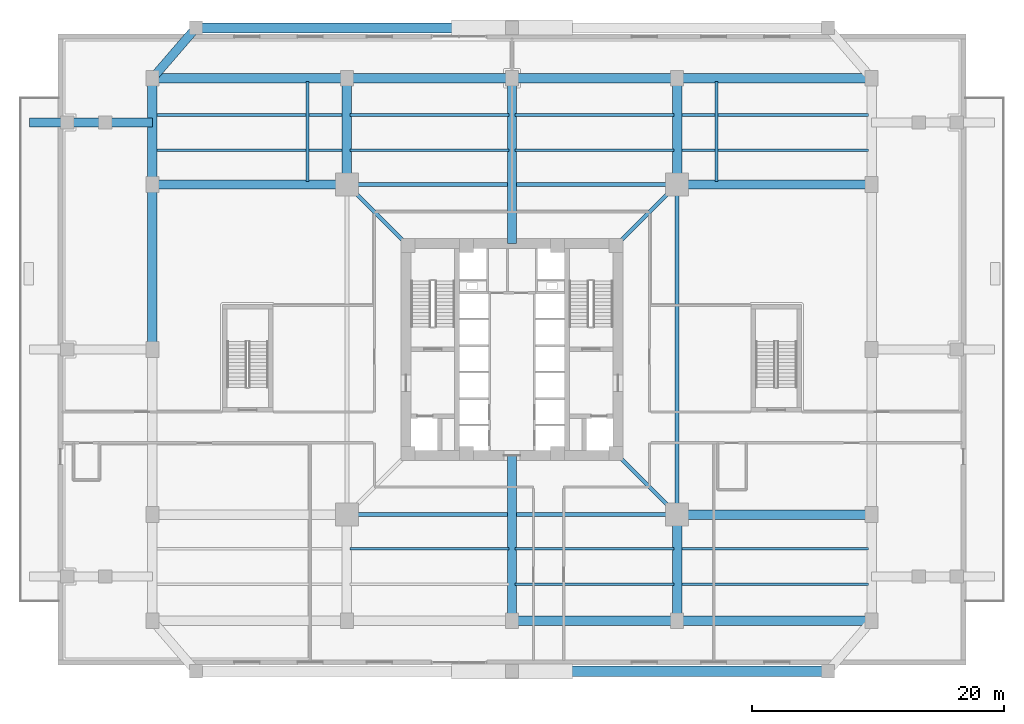
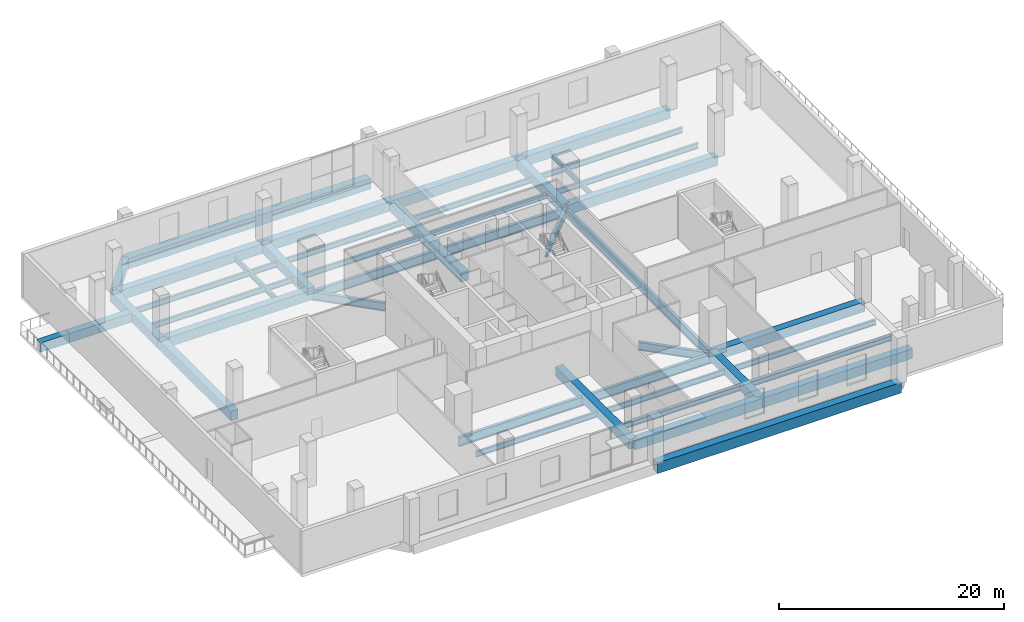
# One storey, part 3 of 15: 43 beams.
"""IFC4 building model written with IfcOpenShell, lengths in metres."""

from ifc_helpers import new_model, si_unit, direction, frame, origin, origin_2d, place, context, subcontext, project, spatial, rectangle, i_section, extrude, source, transform, mapped, material, material_profile, profile_set, type_object, element, save


model = new_model("IFC4")

# Units and contexts
model_context = context("Model", 3, precision=1e-05, world=origin(), true_north=direction((0.0, 1.0)))
body_context = subcontext(model_context, "Body", "Model", "MODEL_VIEW")
ifc_project = project(units=[si_unit("LENGTHUNIT", "METRE"), si_unit("AREAUNIT", "SQUARE_METRE"), si_unit("VOLUMEUNIT", "CUBIC_METRE"), si_unit("PLANEANGLEUNIT", "RADIAN"), si_unit("MASSUNIT", "GRAM", prefix="KILO"), si_unit("THERMODYNAMICTEMPERATUREUNIT", "KELVIN")], contexts=[model_context])

# Site, building, storey
site_placement = place(None, origin())
site = spatial("IfcSite", under=ifc_project, at=site_placement, CompositionType="ELEMENT")
building_placement = place(site_placement, origin())
building = spatial("IfcBuilding", under=site, at=building_placement, Name="Kosmvard Interchange Tower", CompositionType="ELEMENT")
storey_placement = place(building_placement, frame((0.0, 0.0, 11.0)))
storey = spatial("IfcBuildingStorey", under=building, at=storey_placement, Name="L02", CompositionType="ELEMENT", Elevation=11.0)

# Beams
ifc_material_1 = material(Name="Steel S460", Category="steel")
ifc_material_profile_1 = material_profile(ifc_material_1, i_section(OverallWidth=0.30810546875, OverallDepth=0.909912109375, WebThickness=0.02099609375, FlangeThickness=0.0400390625, FilletRadius=0.027099609375, at=origin_2d()), Name="HEM 900")
ifc_profile_set_1 = profile_set([ifc_material_profile_1], Name="Steel S460")
beam_type_1 = type_object("IfcBeamType", Name="Primary Mega-Frame Girder HEM 900 S460", PredefinedType="BEAM", material=ifc_profile_set_1)
shared_shape_1 = source(origin(), body_context, "Body", "SweptSolid", [
    extrude(i_section(OverallWidth=0.30810546875, OverallDepth=0.909912109375, WebThickness=0.02099609375, FlangeThickness=0.0400390625, FilletRadius=0.027099609375, at=origin_2d()), origin(), (0.0, 0.0, 1.0), 6.83203125),
])
for number, where, z_axis, x_axis, name in (
    (1, (8.25, -8.25, -0.794921875), (0.707106781187, -0.707106781187, 0.0), (0.707106781187, 0.707106781187, 0.0), "L02 Radial Mega-Frame Girder 2"),
    (2, (8.25, 8.25, -0.794921875), (0.707106781187, 0.707106781187, 0.0), (-0.707106781187, 0.707106781187, 0.0), "L02 Radial Mega-Frame Girder 3"),
    (3, (-8.25, 8.25, -0.794921875), (-0.707106781187, 0.707106781187, 0.0), (-0.707106781187, -0.707106781187, 0.0), "L02 Radial Mega-Frame Girder 4"),
):
    element("IfcBeam", number, at=place(storey_placement, frame(where, z_axis=z_axis, x_axis=x_axis)), inside=storey, type_object=beam_type_1, Name=name, PredefinedType="BEAM", context=body_context, shape_type="MappedRepresentation", body=[
        mapped(shared_shape_1, transform((0.0, 0.0, 0.0), scale=1.0)),
    ])
ifc_material_profile_2 = material_profile(ifc_material_1, i_section(OverallWidth=0.30908203125, OverallDepth=1.008056640625, WebThickness=0.02099609375, FlangeThickness=0.0400390625, FilletRadius=0.030029296875, at=origin_2d()), Name="HEM 1000")
ifc_profile_set_2 = profile_set([ifc_material_profile_2], Name="Steel S460")
beam_type_2 = type_object("IfcBeamType", Name="Mega-Column Ring Girder HEM 1000 S460", PredefinedType="BEAM", material=ifc_profile_set_2)
shared_shape_2 = source(origin(), body_context, "Body", "SweptSolid", [
    extrude(i_section(OverallWidth=0.30908203125, OverallDepth=1.008056640625, WebThickness=0.02099609375, FlangeThickness=0.0400390625, FilletRadius=0.030029296875, at=origin_2d()), origin(), (0.0, 0.0, 1.0), 26.162109375),
])
for number, where, z_axis, x_axis, name in (
    (4, (-13.0810546875, -13.0810546875, -0.843994140625), (1.0, 0.0, 0.0), (0.0, 1.0, 0.0), "L02 Mega-Column Ring Girder 1"),
    (5, (13.0810546875, -13.0810546875, -0.843994140625), (0.0, 1.0, 0.0), (-1.0, 0.0, 0.0), "L02 Mega-Column Ring Girder 2"),
    (6, (13.0810546875, 13.0810546875, -0.843994140625), (-1.0, 0.0, 0.0), (0.0, -1.0, 0.0), "L02 Mega-Column Ring Girder 3"),
):
    element("IfcBeam", number, at=place(storey_placement, frame(where, z_axis=z_axis, x_axis=x_axis)), inside=storey, type_object=beam_type_2, Name=name, PredefinedType="BEAM", context=body_context, shape_type="MappedRepresentation", body=[
        mapped(shared_shape_2, transform((0.0, 0.0, 0.0), scale=1.0)),
    ])
ifc_material_2 = material(Name="Steel S355", Category="steel")
ifc_material_profile_3 = material_profile(ifc_material_2, i_section(OverallWidth=0.219970703125, OverallDepth=0.60009765625, WebThickness=0.011962890625, FlangeThickness=0.01904296875, FilletRadius=0.02392578125, at=origin_2d()), Name="IPE 600")
ifc_profile_set_3 = profile_set([ifc_material_profile_3], Name="Steel S355")
beam_type_3 = type_object("IfcBeamType", Name="Long-Span Floor Joist IPE 600 S355", PredefinedType="JOIST", material=ifc_profile_set_3)
shared_shape_3 = source(origin(), body_context, "Body", "SweptSolid", [
    extrude(i_section(OverallWidth=0.219970703125, OverallDepth=0.60009765625, WebThickness=0.011962890625, FlangeThickness=0.01904296875, FilletRadius=0.02392578125, at=origin_2d()), origin(), (0.0, 0.0, 1.0), 14.949951171875),
])
for number, where, z_axis, x_axis, name in (
    (7, (13.300048828125, -18.60009765625, -0.639892578125), (1.0, 0.0, 0.0), (0.0, 1.0, 0.0), "BM-L02-PJ04"),
    (8, (13.300048828125, -15.800048828125, -0.639892578125), (1.0, 0.0, 0.0), (0.0, 1.0, 0.0), "BM-L02-PJ08"),
    (9, (-28.25, 15.800048828125, -0.639892578125), (1.0, 0.0, 0.0), (0.0, 1.0, 0.0), "BM-L02-PJ09"),
    (10, (13.300048828125, 15.800048828125, -0.639892578125), (1.0, 0.0, 0.0), (0.0, 1.0, 0.0), "BM-L02-PJ12"),
    (11, (-28.25, 18.60009765625, -0.639892578125), (1.0, 0.0, 0.0), (0.0, 1.0, 0.0), "BM-L02-PJ13"),
    (12, (13.300048828125, 18.60009765625, -0.639892578125), (1.0, 0.0, 0.0), (0.0, 1.0, 0.0), "BM-L02-PJ16"),
):
    element("IfcBeam", number, at=place(storey_placement, frame(where, z_axis=z_axis, x_axis=x_axis)), inside=storey, type_object=beam_type_3, Name=name, PredefinedType="JOIST", context=body_context, shape_type="MappedRepresentation", body=[
        mapped(shared_shape_3, transform((0.0, 0.0, 0.0), scale=1.0)),
    ])
shared_shape_4 = source(origin(), body_context, "Body", "SweptSolid", [
    extrude(i_section(OverallWidth=0.219970703125, OverallDepth=0.60009765625, WebThickness=0.011962890625, FlangeThickness=0.01904296875, FilletRadius=0.02392578125, at=origin_2d()), origin(), (0.0, 0.0, 1.0), 12.60009765625),
])
for number, where, z_axis, x_axis, name in (
    (13, (0.25, -18.60009765625, -0.639892578125), (1.0, 0.0, 0.0), (0.0, 1.0, 0.0), "BM-L02-PJ03"),
    (14, (-12.85009765625, -15.800048828125, -0.639892578125), (1.0, 0.0, 0.0), (0.0, 1.0, 0.0), "BM-L02-PJ06"),
    (15, (0.25, -15.800048828125, -0.639892578125), (1.0, 0.0, 0.0), (0.0, 1.0, 0.0), "BM-L02-PJ07"),
    (16, (-12.85009765625, 15.800048828125, -0.639892578125), (1.0, 0.0, 0.0), (0.0, 1.0, 0.0), "BM-L02-PJ10"),
    (17, (0.25, 15.800048828125, -0.639892578125), (1.0, 0.0, 0.0), (0.0, 1.0, 0.0), "BM-L02-PJ11"),
    (18, (-12.85009765625, 18.60009765625, -0.639892578125), (1.0, 0.0, 0.0), (0.0, 1.0, 0.0), "BM-L02-PJ14"),
    (19, (0.25, 18.60009765625, -0.639892578125), (1.0, 0.0, 0.0), (0.0, 1.0, 0.0), "BM-L02-PJ15"),
):
    element("IfcBeam", number, at=place(storey_placement, frame(where, z_axis=z_axis, x_axis=x_axis)), inside=storey, type_object=beam_type_3, Name=name, PredefinedType="JOIST", context=body_context, shape_type="MappedRepresentation", body=[
        mapped(shared_shape_4, transform((0.0, 0.0, 0.0), scale=1.0)),
    ])
shared_shape_5 = source(origin(), body_context, "Body", "SweptSolid", [
    extrude(i_section(OverallWidth=0.219970703125, OverallDepth=0.60009765625, WebThickness=0.011962890625, FlangeThickness=0.01904296875, FilletRadius=0.02392578125, at=origin_2d()), origin(), (0.0, 0.0, 1.0), 7.949951171875),
])
for number, where, z_axis, x_axis, name in (
    (20, (-16.199951171875, 13.300048828125, -0.639892578125), (0.0, 1.0, 0.0), (-1.0, 0.0, 0.0), "BM-L02-PJ17"),
    (21, (16.199951171875, 13.300048828125, -0.639892578125), (0.0, 1.0, 0.0), (-1.0, 0.0, 0.0), "BM-L02-PJ18"),
):
    element("IfcBeam", number, at=place(storey_placement, frame(where, z_axis=z_axis, x_axis=x_axis)), inside=storey, type_object=beam_type_3, Name=name, PredefinedType="JOIST", context=body_context, shape_type="MappedRepresentation", body=[
        mapped(shared_shape_5, transform((0.0, 0.0, 0.0), scale=1.0)),
    ])
ifc_material_3 = material(Name="Concrete C60/75", Category="concrete")
ifc_material_profile_4 = material_profile(ifc_material_3, rectangle(XDim=0.75, YDim=1.050048828125, at=origin_2d()), Name="RCG 750x1050")
ifc_profile_set_4 = profile_set([ifc_material_profile_4], Name="Concrete C60/75")
beam_type_4 = type_object("IfcBeamType", Name="Concourse Mid-Span RC Girder 750x1050 C60/75", PredefinedType="BEAM", material=ifc_profile_set_4)
shared_shape_6 = source(origin(), body_context, "Body", "SweptSolid", [
    extrude(rectangle(XDim=0.75, YDim=1.050048828125, at=origin_2d()), origin(), (0.0, 0.0, 1.0), 15.4189453125),
])
for number, where, z_axis, x_axis, name in (
    (22, (13.0810546875, -21.5, -0.52490234375), (1.0, 0.0, 0.0), (0.0, 1.0, 0.0), "BM-L02-PG-S4"),
    (23, (-28.5, 21.5, -0.52490234375), (1.0, 0.0, 0.0), (0.0, 1.0, 0.0), "BM-L02-PG-N1"),
    (24, (13.0810546875, 21.5, -0.52490234375), (1.0, 0.0, 0.0), (0.0, 1.0, 0.0), "BM-L02-PG-N4"),
    (25, (-28.5, 13.0810546875, -0.52490234375), (1.0, 0.0, 0.0), (0.0, 1.0, 0.0), "BM-L02-PG-CW2"),
    (26, (28.5, -13.0810546875, -0.52490234375), (-1.0, 0.0, 0.0), (0.0, -1.0, 0.0), "BM-L02-PG-CE1"),
    (27, (28.5, 13.0810546875, -0.52490234375), (-1.0, 0.0, 0.0), (0.0, -1.0, 0.0), "BM-L02-PG-CE2"),
):
    element("IfcBeam", number, at=place(storey_placement, frame(where, z_axis=z_axis, x_axis=x_axis)), inside=storey, type_object=beam_type_4, Name=name, PredefinedType="BEAM", context=body_context, shape_type="MappedRepresentation", body=[
        mapped(shared_shape_6, transform((0.0, 0.0, 0.0), scale=1.0)),
    ])
shared_shape_7 = source(origin(), body_context, "Body", "SweptSolid", [
    extrude(rectangle(XDim=0.75, YDim=1.050048828125, at=origin_2d()), origin(), (0.0, 0.0, 1.0), 13.0810546875),
])
for number, where, z_axis, x_axis, name in (
    (28, (0.0, -21.5, -0.52490234375), (1.0, 0.0, 0.0), (0.0, 1.0, 0.0), "BM-L02-PG-S3"),
    (29, (-13.0810546875, 21.5, -0.52490234375), (1.0, 0.0, 0.0), (0.0, 1.0, 0.0), "BM-L02-PG-N2"),
    (30, (0.0, 21.5, -0.52490234375), (1.0, 0.0, 0.0), (0.0, 1.0, 0.0), "BM-L02-PG-N3"),
    (31, (-28.5, 0.0, -0.52490234375), (0.0, 1.0, 0.0), (-1.0, 0.0, 0.0), "BM-L02-PG-W3"),
):
    element("IfcBeam", number, at=place(storey_placement, frame(where, z_axis=z_axis, x_axis=x_axis)), inside=storey, type_object=beam_type_4, Name=name, PredefinedType="BEAM", context=body_context, shape_type="MappedRepresentation", body=[
        mapped(shared_shape_7, transform((0.0, 0.0, 0.0), scale=1.0)),
    ])
shared_shape_8 = source(origin(), body_context, "Body", "SweptSolid", [
    extrude(rectangle(XDim=0.75, YDim=1.050048828125, at=origin_2d()), origin(), (0.0, 0.0, 1.0), 8.4189453125),
])
for number, where, z_axis, x_axis, name in (
    (32, (-28.5, 13.0810546875, -0.52490234375), (0.0, 1.0, 0.0), (-1.0, 0.0, 0.0), "BM-L02-PG-W4"),
    (33, (13.0810546875, -21.5, -0.52490234375), (0.0, 1.0, 0.0), (-1.0, 0.0, 0.0), "BM-L02-PG-CS2"),
    (34, (-13.0810546875, 21.5, -0.52490234375), (0.0, -1.0, 0.0), (1.0, 0.0, 0.0), "BM-L02-PG-CN1"),
    (35, (13.0810546875, 21.5, -0.52490234375), (0.0, -1.0, 0.0), (1.0, 0.0, 0.0), "BM-L02-PG-CN2"),
):
    element("IfcBeam", number, at=place(storey_placement, frame(where, z_axis=z_axis, x_axis=x_axis)), inside=storey, type_object=beam_type_4, Name=name, PredefinedType="BEAM", context=body_context, shape_type="MappedRepresentation", body=[
        mapped(shared_shape_8, transform((0.0, 0.0, 0.0), scale=1.0)),
    ])
shared_shape_9 = source(origin(), body_context, "Body", "SweptSolid", [
    extrude(rectangle(XDim=0.75, YDim=1.050048828125, at=origin_2d()), origin(), (0.0, 0.0, 1.0), 13.10009765625),
])
for number, where, z_axis, x_axis, name in (
    (36, (0.0, -21.5, -0.52490234375), (0.0, 1.0, 0.0), (-1.0, 0.0, 0.0), "BM-L02-PG-MS"),
    (37, (0.0, 21.5, -0.52490234375), (0.0, -1.0, 0.0), (1.0, 0.0, 0.0), "BM-L02-PG-MN"),
):
    element("IfcBeam", number, at=place(storey_placement, frame(where, z_axis=z_axis, x_axis=x_axis)), inside=storey, type_object=beam_type_4, Name=name, PredefinedType="BEAM", context=body_context, shape_type="MappedRepresentation", body=[
        mapped(shared_shape_9, transform((0.0, 0.0, 0.0), scale=1.0)),
    ])
ifc_material_profile_5 = material_profile(ifc_material_3, rectangle(XDim=0.800048828125, YDim=1.14990234375, at=origin_2d()), Name="RCG 800x1150")
ifc_profile_set_5 = profile_set([ifc_material_profile_5], Name="Concrete C60/75")
beam_type_5 = type_object("IfcBeamType", Name="Concourse Long-Span RC Girder 800x1150 C60/75", PredefinedType="BEAM", material=ifc_profile_set_5)
shared_shape_10 = source(origin(), body_context, "Body", "SweptSolid", [
    extrude(rectangle(XDim=0.800048828125, YDim=1.14990234375, at=origin_2d()), origin(), (0.0, 0.0, 1.0), 25.050048828125),
])
for number, where, z_axis, x_axis, name in (
    (38, (0.0, -25.5, -0.574951171875), (1.0, 0.0, 0.0), (0.0, 1.0, 0.0), "BM-L02-PG-TS2"),
    (39, (-25.050048828125, 25.5, -0.574951171875), (1.0, 0.0, 0.0), (0.0, 1.0, 0.0), "BM-L02-PG-TN1"),
):
    element("IfcBeam", number, at=place(storey_placement, frame(where, z_axis=z_axis, x_axis=x_axis)), inside=storey, type_object=beam_type_5, Name=name, PredefinedType="BEAM", context=body_context, shape_type="MappedRepresentation", body=[
        mapped(shared_shape_10, transform((0.0, 0.0, 0.0), scale=1.0)),
    ])
ifc_material_profile_6 = material_profile(ifc_material_3, rectangle(XDim=0.699951171875, YDim=1.0, at=origin_2d()), Name="RCG 700x1000")
ifc_profile_set_6 = profile_set([ifc_material_profile_6], Name="Concrete C60/75")
beam_type_6 = type_object("IfcBeamType", Name="Concourse Primary RC Girder 700x1000 C60/75", PredefinedType="BEAM", material=ifc_profile_set_6)
shared_shape_11 = source(origin(), body_context, "Body", "SweptSolid", [
    extrude(rectangle(XDim=0.699951171875, YDim=1.0, at=origin_2d()), origin(), (0.0, 0.0, 1.0), 5.2822265625),
])
beam_1_placement = place(storey_placement, frame((-25.050048828125, 25.5, -0.5), z_axis=(-0.653121547432, -0.757253091298, 0.0), x_axis=(0.757253091298, -0.653121547432, 0.0)))
element("IfcBeam", 40, at=beam_1_placement, inside=storey, type_object=beam_type_6, Name="BM-L02-PG-TNL", PredefinedType="BEAM", context=body_context, shape_type="MappedRepresentation", body=[
    mapped(shared_shape_11, transform((0.0, 0.0, 0.0), scale=1.0)),
])
shared_shape_12 = source(origin(), body_context, "Body", "SweptSolid", [
    extrude(rectangle(XDim=0.699951171875, YDim=1.0, at=origin_2d()), origin(), (0.0, 0.0, 1.0), 3.75),
])
beam_2_placement = place(storey_placement, frame((-28.5, 18.0, -0.5), z_axis=(-1.0, 0.0, 0.0), x_axis=(0.0, -1.0, 0.0)))
element("IfcBeam", 41, at=beam_2_placement, inside=storey, type_object=beam_type_6, Name="BM-L02-PG-TCW31", PredefinedType="BEAM", context=body_context, shape_type="MappedRepresentation", body=[
    mapped(shared_shape_12, transform((0.0, 0.0, 0.0), scale=1.0)),
])
shared_shape_13 = source(origin(), body_context, "Body", "SweptSolid", [
    extrude(rectangle(XDim=0.699951171875, YDim=1.0, at=origin_2d()), origin(), (0.0, 0.0, 1.0), 3.0),
])
for number, where, z_axis, x_axis, name in (
    (42, (-32.25, 18.0, -0.5), (-1.0, 0.0, 0.0), (0.0, -1.0, 0.0), "BM-L02-PG-TCW32"),
    (43, (-35.25, 18.0, -0.5), (-1.0, 0.0, 0.0), (0.0, -1.0, 0.0), "BM-L02-PG-TCW33"),
):
    element("IfcBeam", number, at=place(storey_placement, frame(where, z_axis=z_axis, x_axis=x_axis)), inside=storey, type_object=beam_type_6, Name=name, PredefinedType="BEAM", context=body_context, shape_type="MappedRepresentation", body=[
        mapped(shared_shape_13, transform((0.0, 0.0, 0.0), scale=1.0)),
    ])

save(model, "model.ifc")
